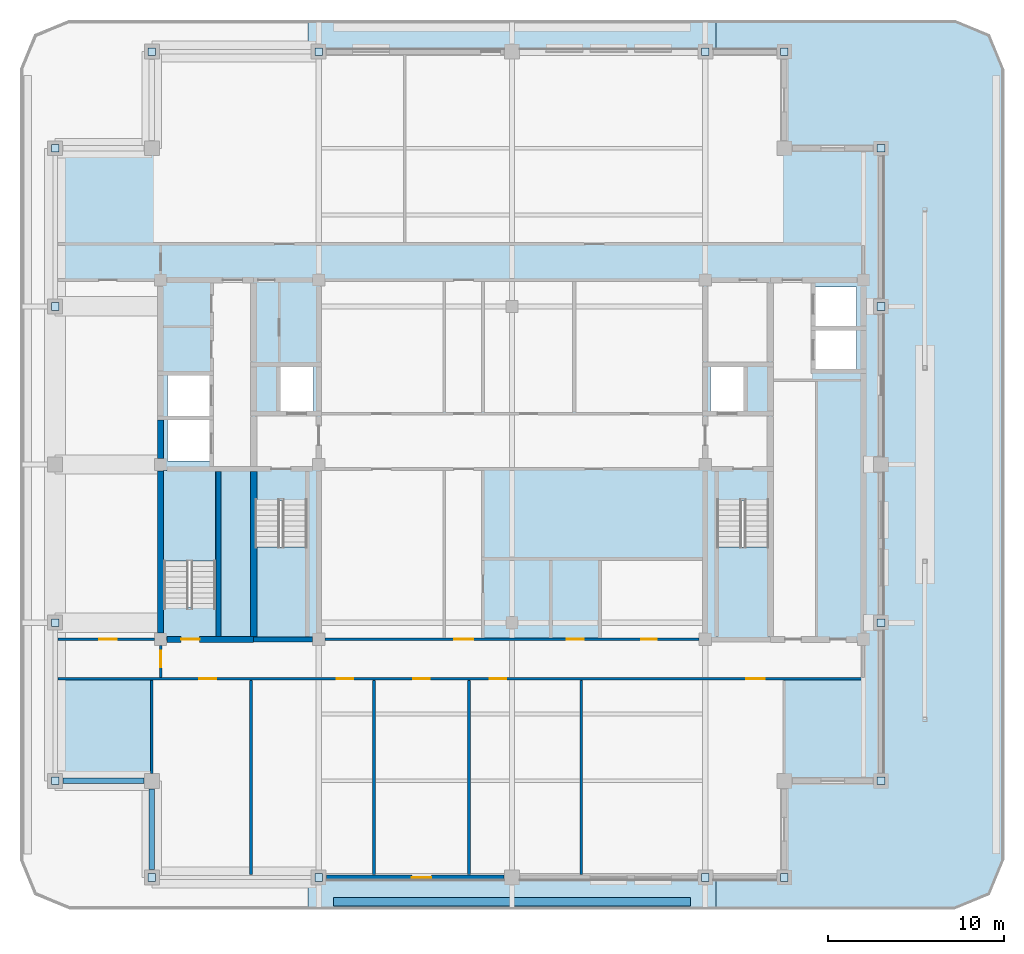
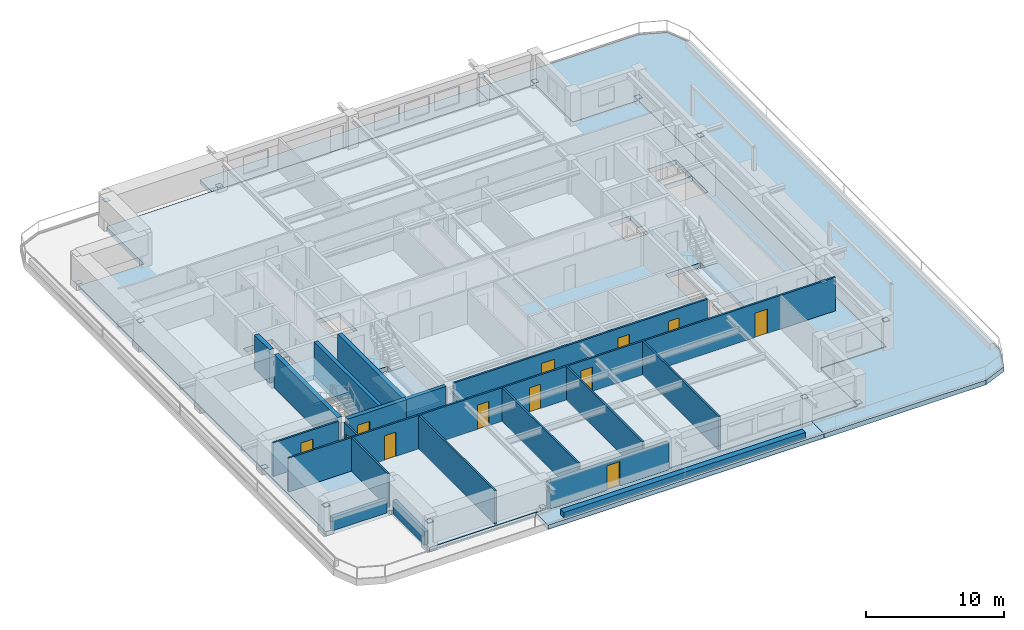
# One storey, part 5 of 14: 19 walls, 16 plates, 12 doors, 7 slabs, 12 openings, 3 elements without a shape of their own.
"""IFC4 building model written with IfcOpenShell, lengths in metres."""

from ifc_helpers import new_model, si_unit, direction, frame, frame_2d, origin, origin_2d, place, context, subcontext, project, spatial, polyline, rectangle, outline, extrude, material, layer, layer_set, type_object, element, fill, aggregate, save


model = new_model("IFC4")

# Units and contexts
model_context = context("Model", 3, precision=1e-05, world=origin(), true_north=direction((0.0, 1.0)))
body_context = subcontext(model_context, "Body", "Model", "MODEL_VIEW")
ifc_project = project(units=[si_unit("LENGTHUNIT", "METRE"), si_unit("AREAUNIT", "SQUARE_METRE"), si_unit("VOLUMEUNIT", "CUBIC_METRE"), si_unit("PLANEANGLEUNIT", "RADIAN"), si_unit("MASSUNIT", "GRAM", prefix="KILO")], contexts=[model_context])

# Site, building, storey
site_placement = place(None, origin())
site = spatial("IfcSite", under=ifc_project, at=site_placement, CompositionType="ELEMENT")
building_placement = place(site_placement, origin())
building = spatial("IfcBuilding", under=site, at=building_placement, Name="Zulmaris Gate Convention Tower", CompositionType="ELEMENT")
storey_placement = place(building_placement, frame((0.0, 0.0, 254.429931640625)))
storey = spatial("IfcBuildingStorey", under=building, at=storey_placement, Name="L67", CompositionType="ELEMENT", Elevation=254.429931640625)

# Plates
ifc_material_1 = material(Name="Steel S460", Category="steel")
ifc_layer_1 = layer(ifc_material_1, 0.02490234375, Name="Steel S460")
ifc_layer_set_1 = layer_set([ifc_layer_1], Name="Steel S460")
plate_type = type_object("IfcPlateType", Name="NP-CAP-440", PredefinedType="USERDEFINED", material=ifc_layer_set_1)
for number, where, z_axis, x_axis, name in (
    (1, (-26.0, -9.0, 0.28759765625), (0.0, 0.0, 1.0), (1.0, 0.0, 0.0), "L67 Steel Node Plate PBR-L67-SW-W-CAP"),
    (2, (-26.0, -18.0, 2.347412109375), (0.0, 0.0, 1.0), (1.0, 0.0, 0.0), "L67 Steel Node Plate PBR-L67-SW-W-CAPB"),
    (3, (-26.0, 18.0, 0.28759765625), (0.0, 0.0, 1.0), (1.0, 0.0, 0.0), "L67 Steel Node Plate PBR-L67-NW-W-CAP"),
    (4, (-26.0, 9.0, 2.347412109375), (0.0, 0.0, 1.0), (1.0, 0.0, 0.0), "L67 Steel Node Plate PBR-L67-NW-W-CAPB"),
    (5, (21.0, -9.0, 0.28759765625), (0.0, 0.0, 1.0), (1.0, 0.0, 0.0), "L67 Steel Node Plate PBR-L67-SE-E-CAP"),
    (6, (21.0, -18.0, 2.347412109375), (0.0, 0.0, 1.0), (1.0, 0.0, 0.0), "L67 Steel Node Plate PBR-L67-SE-E-CAPB"),
    (7, (21.0, 18.0, 0.28759765625), (0.0, 0.0, 1.0), (1.0, 0.0, 0.0), "L67 Steel Node Plate PBR-L67-NE-E-CAP"),
    (8, (21.0, 9.0, 2.347412109375), (0.0, 0.0, 1.0), (1.0, 0.0, 0.0), "L67 Steel Node Plate PBR-L67-NE-E-CAPB"),
    (9, (-11.0, -23.5, 0.28759765625), (0.0, 0.0, 1.0), (1.0, 0.0, 0.0), "L67 Steel Node Plate PBR-L67-SW-S-CAP"),
    (10, (-20.5, -23.5, 2.347412109375), (0.0, 0.0, 1.0), (1.0, 0.0, 0.0), "L67 Steel Node Plate PBR-L67-SW-S-CAPB"),
    (11, (15.5, -23.5, 0.28759765625), (0.0, 0.0, 1.0), (1.0, 0.0, 0.0), "L67 Steel Node Plate PBR-L67-SE-S-CAP"),
    (12, (11.0, -23.5, 2.347412109375), (0.0, 0.0, 1.0), (1.0, 0.0, 0.0), "L67 Steel Node Plate PBR-L67-SE-S-CAPB"),
    (13, (-11.0, 23.5, 0.28759765625), (0.0, 0.0, 1.0), (1.0, 0.0, 0.0), "L67 Steel Node Plate PBR-L67-NW-N-CAP"),
    (14, (-20.5, 23.5, 2.347412109375), (0.0, 0.0, 1.0), (1.0, 0.0, 0.0), "L67 Steel Node Plate PBR-L67-NW-N-CAPB"),
    (15, (15.5, 23.5, 0.28759765625), (0.0, 0.0, 1.0), (1.0, 0.0, 0.0), "L67 Steel Node Plate PBR-L67-NE-N-CAP"),
    (16, (11.0, 23.5, 2.347412109375), (0.0, 0.0, 1.0), (1.0, 0.0, 0.0), "L67 Steel Node Plate PBR-L67-NE-N-CAPB"),
):
    element("IfcPlate", number, at=place(storey_placement, frame(where, z_axis=z_axis, x_axis=x_axis)), inside=storey, type_object=plate_type, Name=name, ObjectType="FLANGE PLATE", PredefinedType="USERDEFINED", context=body_context, shape_type="SweptSolid", body=[
        extrude(rectangle(XDim=0.43994140625, YDim=0.43994140625, at=origin_2d()), origin(), (0.0, 0.0, 1.0), 0.02490234375),
    ])

# Slab
ifc_material_2 = material(Name="Concrete C60/75", Category="concrete")
ifc_layer_2 = layer(ifc_material_2, 0.425048828125, Name="Concrete C60/75")
ifc_layer_set_2 = layer_set([ifc_layer_2], Name="Concrete C60/75")
slab_type_1 = type_object("IfcSlabType", Name="SL-FLR-425", PredefinedType="FLOOR", material=ifc_layer_set_2)
slab_1_placement = place(storey_placement, frame((0.0, 0.0, -0.425048828125)))
element("IfcSlab", 17, at=slab_1_placement, inside=storey, type_object=slab_type_1, Name="L67 Shifted Notched-Square Structural Floor Slab", PredefinedType="FLOOR", context=body_context, shape_type="SweptSolid", body=[
    extrude(outline(polyline([(-20.5, -23.5), (15.5, -23.5), (15.5, -18.0), (21.0, -18.0), (21.0, 18.0), (15.5, 18.0), (15.5, 23.5), (-20.5, 23.5), (-20.5, 18.0), (-26.0, 18.0), (-26.0, -18.0), (-20.5, -18.0), (-20.5, -23.5)]), holes=[polyline([(-14.6201171875, -2.080078125), (-14.6201171875, -9.85009765625), (-11.659912109375, -9.85009765625), (-11.659912109375, -2.080078125), (-14.6201171875, -2.080078125)]), polyline([(11.659912109375, -2.080078125), (11.659912109375, -9.85009765625), (14.6201171875, -9.85009765625), (14.6201171875, -2.080078125), (11.659912109375, -2.080078125)]), polyline([(-16.860107421875, -8.1201171875), (-16.860107421875, -0.35009765625), (-19.820068359375, -0.35009765625), (-19.820068359375, -8.1201171875), (-16.860107421875, -8.1201171875)]), polyline([(-13.199951171875, 3.0), (-11.300048828125, 3.0), (-11.300048828125, 5.60009765625), (-13.199951171875, 5.60009765625), (-13.199951171875, 3.0)]), polyline([(11.300048828125, 3.0), (13.199951171875, 3.0), (13.199951171875, 5.60009765625), (11.300048828125, 5.60009765625), (11.300048828125, 3.0)]), polyline([(17.199951171875, 5.39990234375), (19.60009765625, 5.39990234375), (19.60009765625, 7.699951171875), (17.199951171875, 7.699951171875), (17.199951171875, 5.39990234375)]), polyline([(17.199951171875, 7.800048828125), (19.60009765625, 7.800048828125), (19.60009765625, 10.10009765625), (17.199951171875, 10.10009765625), (17.199951171875, 7.800048828125)]), polyline([(-19.60009765625, 0.199951171875), (-17.199951171875, 0.199951171875), (-17.199951171875, 2.60009765625), (-19.60009765625, 2.60009765625), (-19.60009765625, 0.199951171875)]), polyline([(-19.60009765625, 2.699951171875), (-17.199951171875, 2.699951171875), (-17.199951171875, 5.10009765625), (-19.60009765625, 5.10009765625), (-19.60009765625, 2.699951171875)])]), origin(), (0.0, 0.0, 1.0), 0.425048828125),
])

# Stair, slab
ifc_material_3 = material(Name="Concrete C45/55", Category="concrete")
stair_type = type_object("IfcStairType", Name="ST-CORE-DOGLEG", PredefinedType="HALF_TURN_STAIR", material=ifc_material_3)
stair_1_placement = place(storey_placement, origin())
stair_1 = element("IfcStair", 18, at=stair_1_placement, inside=storey, type_object=stair_type, Name="L67 Core Exit Stair ST-1", PredefinedType="HALF_TURN_STAIR")
ifc_layer_3 = layer(ifc_material_3, 0.199951171875, Name="Concrete C45/55")
ifc_layer_set_3 = layer_set([ifc_layer_3], Name="Concrete C45/55")
slab_type_2 = type_object("IfcSlabType", Name="SL-LND-200", PredefinedType="LANDING", material=ifc_layer_set_3)
slab_2_placement = place(storey_placement, frame((0.0, 0.0, 1.4150390625)))
slab_2 = element("IfcSlab", 19, at=slab_2_placement, type_object=slab_type_2, Name="ST-1 landing 1", PredefinedType="LANDING", context=body_context, shape_type="SweptSolid", body=[
    extrude(outline(polyline([(-14.6201171875, -4.699951171875), (-14.6201171875, -9.85009765625), (-11.659912109375, -9.85009765625), (-11.659912109375, -4.699951171875), (-14.6201171875, -4.699951171875)])), origin(), (0.0, 0.0, 1.0), 0.199951171875),
])
aggregate(stair_1, [slab_2])

stair_2_placement = place(storey_placement, origin())
stair_2 = element("IfcStair", 20, at=stair_2_placement, inside=storey, type_object=stair_type, Name="L67 Core Exit Stair ST-2", PredefinedType="HALF_TURN_STAIR")
slab_3_placement = place(storey_placement, frame((0.0, 0.0, 1.4150390625)))
slab_3 = element("IfcSlab", 21, at=slab_3_placement, type_object=slab_type_2, Name="ST-2 landing 1", PredefinedType="LANDING", context=body_context, shape_type="SweptSolid", body=[
    extrude(outline(polyline([(11.659912109375, -4.699951171875), (11.659912109375, -9.85009765625), (14.6201171875, -9.85009765625), (14.6201171875, -4.699951171875), (11.659912109375, -4.699951171875)])), origin(), (0.0, 0.0, 1.0), 0.199951171875),
])
aggregate(stair_2, [slab_3])

stair_3_placement = place(storey_placement, origin())
stair_3 = element("IfcStair", 22, at=stair_3_placement, inside=storey, type_object=stair_type, Name="L67 Core Exit Stair ST-3", PredefinedType="HALF_TURN_STAIR")
slab_4_placement = place(storey_placement, frame((0.0, 0.0, 1.4150390625)))
slab_4 = element("IfcSlab", 23, at=slab_4_placement, type_object=slab_type_2, Name="ST-3 landing 1", PredefinedType="LANDING", context=body_context, shape_type="SweptSolid", body=[
    extrude(outline(polyline([(-16.860107421875, -5.5), (-16.860107421875, -0.35009765625), (-19.820068359375, -0.35009765625), (-19.820068359375, -5.5), (-16.860107421875, -5.5)])), origin(), (0.0, 0.0, 1.0), 0.199951171875),
])
aggregate(stair_3, [slab_4])

# Slabs
ifc_material_4 = material(Name="Concrete C50/60", Category="concrete")
ifc_layer_4 = layer(ifc_material_4, 0.300048828125, Name="Concrete C50/60")
ifc_layer_set_4 = layer_set([ifc_layer_4], Name="Concrete C50/60")
slab_type_3 = type_object("IfcSlabType", Name="SL-SG-300", PredefinedType="FLOOR", material=ifc_layer_set_4)
slab_5_placement = place(storey_placement, frame((0.0, 0.0, -0.425048828125)))
element("IfcSlab", 24, at=slab_5_placement, inside=storey, type_object=slab_type_3, Name="L67 South Tree-Balcony Planter Slab", PredefinedType="FLOOR", context=body_context, shape_type="SweptSolid", body=[
    extrude(outline(polyline([(-11.597900390625, -25.300048828125), (-11.597900390625, -23.5), (11.597900390625, -23.5), (11.597900390625, -25.300048828125), (-11.597900390625, -25.300048828125)])), origin(), (0.0, 0.0, 1.0), 0.385009765625),
])
slab_6_placement = place(storey_placement, frame((0.0, 0.0, -0.425048828125)))
element("IfcSlab", 25, at=slab_6_placement, inside=storey, type_object=slab_type_3, Name="L67 North Tree-Balcony Planter Slab", PredefinedType="FLOOR", context=body_context, shape_type="SweptSolid", body=[
    extrude(outline(polyline([(11.597900390625, 25.300048828125), (11.597900390625, 23.5), (-11.597900390625, 23.5), (-11.597900390625, 25.300048828125), (11.597900390625, 25.300048828125)])), origin(), (0.0, 0.0, 1.0), 0.385009765625),
])
ifc_layer_5 = layer(ifc_material_4, 0.419921875, Name="Concrete C50/60")
ifc_layer_set_5 = layer_set([ifc_layer_5], Name="Concrete C50/60")
slab_type_4 = type_object("IfcSlabType", Name="SL-SG-420", PredefinedType="FLOOR", material=ifc_layer_set_5)
slab_7_placement = place(storey_placement, frame((0.0, 0.0, -0.4599609375)))
element("IfcSlab", 26, at=slab_7_placement, inside=storey, type_object=slab_type_4, Name="L67 East Block-End Planted Roof Terrace Slab", PredefinedType="FLOOR", context=body_context, shape_type="SweptSolid", body=[
    extrude(outline(polyline([(25.199951171875, 25.300048828125), (27.179931640625, 24.47998046875), (28.0, 22.5), (28.0, -22.5), (27.179931640625, -24.47998046875), (25.199951171875, -25.300048828125), (11.60205078125, -25.300048828125), (11.60205078125, -23.5), (15.5, -23.5), (15.5, -18.0), (21.0, -18.0), (21.0, 18.0), (15.5, 18.0), (15.5, 23.5), (11.60205078125, 23.5), (11.60205078125, 25.300048828125), (25.199951171875, 25.300048828125)])), origin(), (0.0, 0.0, 1.0), 0.419921875),
])

# Walls
ifc_layer_6 = layer(ifc_material_4, 0.300048828125, Name="Concrete C50/60")
ifc_layer_set_6 = layer_set([ifc_layer_6], Name="Concrete C50/60")
wall_type_1 = type_object("IfcWallType", Name="CORE-300", PredefinedType="SHEAR", material=ifc_layer_set_6)
wall_1_placement = place(storey_placement, frame((-14.699951171875, -9.949951171875, 0.0), z_axis=(0.0, 0.0, 1.0), x_axis=(1.0, 0.0, 0.0)))
element("IfcWall", 27, at=wall_1_placement, inside=storey, type_object=wall_type_1, Name="WL-L67-002", PredefinedType="SHEAR", context=body_context, shape_type="SweptSolid", body=[
    extrude(rectangle(XDim=3.345947265625, YDim=0.300048828125, at=frame_2d((1.6728515625, 0.0))), origin(), (0.0, 0.0, 1.0), 2.97998046875),
])
wall_2_placement = place(storey_placement, frame((-16.699951171875, -9.77294921875, 0.0), z_axis=(0.0, 0.0, 1.0), x_axis=(0.0, 1.0, 0.0)))
element("IfcWall", 28, at=wall_2_placement, inside=storey, type_object=wall_type_1, Name="WL-L67-036", PredefinedType="SHEAR", context=body_context, shape_type="SweptSolid", body=[
    extrude(rectangle(XDim=9.370849609375, YDim=0.300048828125, at=frame_2d((4.685546875, 0.0))), origin(), (0.0, 0.0, 1.0), 2.97998046875),
])

# Wall, opening, door
ifc_material_5 = material(Name="Concrete C55/67", Category="concrete")
ifc_layer_7 = layer(ifc_material_5, 0.35009765625, Name="Concrete C55/67")
ifc_layer_set_7 = layer_set([ifc_layer_7], Name="Concrete C55/67")
wall_type_2 = type_object("IfcWallType", Name="CORE-350", PredefinedType="SHEAR", material=ifc_layer_set_7)
wall_3_placement = place(storey_placement, frame((-19.64599609375, -9.949951171875, 0.0), z_axis=(0.0, 0.0, 1.0), x_axis=(1.0, 0.0, 0.0)))
wall_3 = element("IfcWall", 29, at=wall_3_placement, inside=storey, type_object=wall_type_2, Name="WL-L67-001", PredefinedType="SHEAR", context=body_context, shape_type="SweptSolid", body=[
    extrude(rectangle(XDim=4.946044921875, YDim=0.35009765625, at=frame_2d((2.47314453125, 0.0))), origin(), (0.0, 0.0, 1.0), 2.97998046875),
])
opening_1_placement = place(wall_3_placement, frame((0.821044921875, 0.0, 0.0)))
opening_1 = element("IfcOpeningElement", 30, at=opening_1_placement, cuts=wall_3, Name="Opening D-09", PredefinedType="OPENING", context=body_context, shape_type="SweptSolid", body=[
    extrude(rectangle(XDim=1.050048828125, YDim=2.14990234375, at=frame_2d((0.52490234375, 1.074951171875))), frame((0.0, 0.18505859375, 0.0), z_axis=(0.0, -1.0, 0.0), x_axis=(1.0, 0.0, 0.0)), (0.0, 0.0, 1.0), 0.3701171875),
])
ifc_material_6 = material(Name="Fire-Rated Steel", Category="steel")
door_type_1 = type_object("IfcDoorType", Name="DR-1050-FD", OperationType="NOTDEFINED", PredefinedType="DOOR", material=ifc_material_6)
door_1_placement = place(opening_1_placement, origin())
door_1 = element("IfcDoor", 31, at=door_1_placement, inside=storey, type_object=door_type_1, Name="L67 Exit Stair ST-3 Door 10", OperationType="SINGLE_SWING_LEFT", OverallHeight=2.14990234375, OverallWidth=1.050048828125, PredefinedType="DOOR", context=body_context, shape_type="SweptSolid", body=[
    extrude(rectangle(XDim=1.050048828125, YDim=2.14990234375, at=frame_2d((0.52490234375, 1.074951171875))), frame((0.0, 0.02490234375, 0.0), z_axis=(0.0, -1.0, 0.0), x_axis=(1.0, 0.0, 0.0)), (0.0, 0.0, 1.0), 0.050048828125),
])
fill(opening_1, door_1)

# Walls
wall_4_placement = place(storey_placement, frame((-20.0, -9.595947265625, 0.0), z_axis=(0.0, 0.0, 1.0), x_axis=(0.0, 1.0, 0.0)))
element("IfcWall", 32, at=wall_4_placement, inside=storey, type_object=wall_type_2, Name="WL-L67-030", PredefinedType="SHEAR", context=body_context, shape_type="SweptSolid", body=[
    extrude(rectangle(XDim=9.241943359375, YDim=0.35009765625, at=frame_2d((4.62109375, 0.0))), origin(), (0.0, 0.0, 1.0), 2.97998046875),
])
wall_5_placement = place(storey_placement, frame((-20.0, 0.35400390625, 0.0), z_axis=(0.0, 0.0, 1.0), x_axis=(0.0, 1.0, 0.0)))
element("IfcWall", 33, at=wall_5_placement, inside=storey, type_object=wall_type_2, Name="WL-L67-031", PredefinedType="SHEAR", context=body_context, shape_type="SweptSolid", body=[
    extrude(rectangle(XDim=2.1689453125, YDim=0.35009765625, at=frame_2d((1.08447265625, 0.0))), origin(), (0.0, 0.0, 1.0), 2.97998046875),
])
wall_6_placement = place(storey_placement, frame((-14.699951171875, -9.77294921875, 0.0), z_axis=(0.0, 0.0, 1.0), x_axis=(0.0, 1.0, 0.0)))
element("IfcWall", 34, at=wall_6_placement, inside=storey, type_object=wall_type_2, Name="WL-L67-037", PredefinedType="SHEAR", context=body_context, shape_type="SweptSolid", body=[
    extrude(rectangle(XDim=9.370849609375, YDim=0.35009765625, at=frame_2d((4.685546875, 0.0))), origin(), (0.0, 0.0, 1.0), 2.97998046875),
])

# Wall, openings, doors
ifc_material_7 = material(Name="Gypsum Metal Stud Partition")
ifc_layer_8 = layer(ifc_material_7, 0.14990234375, Name="Gypsum Metal Stud Partition")
ifc_layer_set_8 = layer_set([ifc_layer_8], Name="Gypsum Metal Stud Partition")
wall_type_3 = type_object("IfcWallType", Name="PART-150", PredefinedType="PARTITIONING", material=ifc_layer_set_8)
wall_7_placement = place(storey_placement, frame((-25.8349609375, -12.199951171875, 0.0), z_axis=(0.0, 0.0, 1.0), x_axis=(1.0, 0.0, 0.0)))
wall_7 = element("IfcWall", 35, at=wall_7_placement, inside=storey, type_object=wall_type_3, Name="WL-L67-019", PredefinedType="PARTITIONING", context=body_context, shape_type="SweptSolid", body=[
    extrude(rectangle(XDim=45.909912109375, YDim=0.14990234375, at=frame_2d((22.955078125, 0.0))), origin(), (0.0, 0.0, 1.0), 2.97998046875),
])
opening_2_placement = place(wall_7_placement, frame((8.0400390625, 0.0, 0.0)))
opening_2 = element("IfcOpeningElement", 36, at=opening_2_placement, cuts=wall_7, Name="Opening D-11", PredefinedType="OPENING", context=body_context, shape_type="SweptSolid", body=[
    extrude(rectangle(XDim=0.949951171875, YDim=2.14990234375, at=frame_2d((0.47509765625, 1.074951171875))), frame((0.0, 0.0849609375, 0.0), z_axis=(0.0, -1.0, 0.0), x_axis=(1.0, 0.0, 0.0)), (0.0, 0.0, 1.0), 0.169921875),
])
opening_3_placement = place(wall_7_placement, frame((15.860107421875, 0.0, 0.0)))
opening_3 = element("IfcOpeningElement", 37, at=opening_3_placement, cuts=wall_7, Name="Opening D-11", PredefinedType="OPENING", context=body_context, shape_type="SweptSolid", body=[
    extrude(rectangle(XDim=0.949951171875, YDim=2.14990234375, at=frame_2d((0.47509765625, 1.074951171875))), frame((0.0, 0.0849609375, 0.0), z_axis=(0.0, -1.0, 0.0), x_axis=(1.0, 0.0, 0.0)), (0.0, 0.0, 1.0), 0.169921875),
])
opening_4_placement = place(wall_7_placement, frame((20.2099609375, 0.0, 0.0)))
opening_4 = element("IfcOpeningElement", 38, at=opening_4_placement, cuts=wall_7, Name="Opening D-11", PredefinedType="OPENING", context=body_context, shape_type="SweptSolid", body=[
    extrude(rectangle(XDim=0.949951171875, YDim=2.14990234375, at=frame_2d((0.47509765625, 1.074951171875))), frame((0.0, 0.0849609375, 0.0), z_axis=(0.0, -1.0, 0.0), x_axis=(1.0, 0.0, 0.0)), (0.0, 0.0, 1.0), 0.169921875),
])
opening_5_placement = place(wall_7_placement, frame((24.56005859375, 0.0, 0.0)))
opening_5 = element("IfcOpeningElement", 39, at=opening_5_placement, cuts=wall_7, Name="Opening D-11", PredefinedType="OPENING", context=body_context, shape_type="SweptSolid", body=[
    extrude(rectangle(XDim=0.949951171875, YDim=2.14990234375, at=frame_2d((0.47509765625, 1.074951171875))), frame((0.0, 0.0849609375, 0.0), z_axis=(0.0, -1.0, 0.0), x_axis=(1.0, 0.0, 0.0)), (0.0, 0.0, 1.0), 0.169921875),
])
opening_6_placement = place(wall_7_placement, frame((39.159912109375, 0.0, 0.0)))
opening_6 = element("IfcOpeningElement", 40, at=opening_6_placement, cuts=wall_7, Name="Opening D-09", PredefinedType="OPENING", context=body_context, shape_type="SweptSolid", body=[
    extrude(rectangle(XDim=1.050048828125, YDim=2.14990234375, at=frame_2d((0.52490234375, 1.074951171875))), frame((0.0, 0.0849609375, 0.0), z_axis=(0.0, -1.0, 0.0), x_axis=(1.0, 0.0, 0.0)), (0.0, 0.0, 1.0), 0.169921875),
])
door_2_placement = place(opening_6_placement, origin())
door_2 = element("IfcDoor", 41, at=door_2_placement, inside=storey, type_object=door_type_1, Name="L67 Research Reading Room Door 31", OperationType="SINGLE_SWING_RIGHT", OverallHeight=2.14990234375, OverallWidth=1.050048828125, PredefinedType="DOOR", context=body_context, shape_type="SweptSolid", body=[
    extrude(rectangle(XDim=1.050048828125, YDim=2.14990234375, at=frame_2d((0.52490234375, 1.074951171875))), frame((0.0, 0.02490234375, 0.0), z_axis=(0.0, -1.0, 0.0), x_axis=(1.0, 0.0, 0.0)), (0.0, 0.0, 1.0), 0.050048828125),
])
fill(opening_6, door_2)
ifc_material_8 = material(Name="Fire-Rated Timber", Category="wood")
door_type_2 = type_object("IfcDoorType", Name="DR-950-FD", OperationType="NOTDEFINED", PredefinedType="DOOR", material=ifc_material_8)
door_3_placement = place(opening_2_placement, origin())
door_3 = element("IfcDoor", 42, at=door_3_placement, inside=storey, type_object=door_type_2, Name="L67 Research Reading Room Door 27", OperationType="SINGLE_SWING_RIGHT", OverallHeight=2.14990234375, OverallWidth=0.949951171875, PredefinedType="DOOR", context=body_context, shape_type="SweptSolid", body=[
    extrude(rectangle(XDim=0.949951171875, YDim=2.14990234375, at=frame_2d((0.47509765625, 1.074951171875))), frame((0.0, 0.02490234375, 0.0), z_axis=(0.0, -1.0, 0.0), x_axis=(1.0, 0.0, 0.0)), (0.0, 0.0, 1.0), 0.050048828125),
])
fill(opening_2, door_3)
door_4_placement = place(opening_3_placement, origin())
door_4 = element("IfcDoor", 43, at=door_4_placement, inside=storey, type_object=door_type_2, Name="L67 Quiet Focus Study Door 28", OperationType="SINGLE_SWING_LEFT", OverallHeight=2.14990234375, OverallWidth=0.949951171875, PredefinedType="DOOR", context=body_context, shape_type="SweptSolid", body=[
    extrude(rectangle(XDim=0.949951171875, YDim=2.14990234375, at=frame_2d((0.47509765625, 1.074951171875))), frame((0.0, 0.02490234375, 0.0), z_axis=(0.0, -1.0, 0.0), x_axis=(1.0, 0.0, 0.0)), (0.0, 0.0, 1.0), 0.050048828125),
])
fill(opening_3, door_4)
door_5_placement = place(opening_4_placement, origin())
door_5 = element("IfcDoor", 44, at=door_5_placement, inside=storey, type_object=door_type_2, Name="L67 Legal Library Room Door 29", OperationType="SINGLE_SWING_RIGHT", OverallHeight=2.14990234375, OverallWidth=0.949951171875, PredefinedType="DOOR", context=body_context, shape_type="SweptSolid", body=[
    extrude(rectangle(XDim=0.949951171875, YDim=2.14990234375, at=frame_2d((0.47509765625, 1.074951171875))), frame((0.0, 0.02490234375, 0.0), z_axis=(0.0, -1.0, 0.0), x_axis=(1.0, 0.0, 0.0)), (0.0, 0.0, 1.0), 0.050048828125),
])
fill(opening_4, door_5)
door_6_placement = place(opening_5_placement, origin())
door_6 = element("IfcDoor", 45, at=door_6_placement, inside=storey, type_object=door_type_2, Name="L67 Editorial Focus Suite Door 30", OperationType="SINGLE_SWING_LEFT", OverallHeight=2.14990234375, OverallWidth=0.949951171875, PredefinedType="DOOR", context=body_context, shape_type="SweptSolid", body=[
    extrude(rectangle(XDim=0.949951171875, YDim=2.14990234375, at=frame_2d((0.47509765625, 1.074951171875))), frame((0.0, 0.02490234375, 0.0), z_axis=(0.0, -1.0, 0.0), x_axis=(1.0, 0.0, 0.0)), (0.0, 0.0, 1.0), 0.050048828125),
])
fill(opening_5, door_6)

# Wall, opening, door
wall_8_placement = place(storey_placement, frame((-25.8349609375, -9.949951171875, 0.0), z_axis=(0.0, 0.0, 1.0), x_axis=(1.0, 0.0, 0.0)))
wall_8 = element("IfcWall", 46, at=wall_8_placement, inside=storey, type_object=wall_type_3, Name="WL-L67-020", PredefinedType="PARTITIONING", context=body_context, shape_type="SweptSolid", body=[
    extrude(rectangle(XDim=5.47900390625, YDim=0.14990234375, at=frame_2d((2.739501953125, 0.0))), origin(), (0.0, 0.0, 1.0), 2.97998046875),
])
opening_7_placement = place(wall_8_placement, frame((2.3349609375, 0.0, 0.0)))
opening_7 = element("IfcOpeningElement", 47, at=opening_7_placement, cuts=wall_8, Name="Opening D-10", PredefinedType="OPENING", context=body_context, shape_type="SweptSolid", body=[
    extrude(rectangle(XDim=1.0, YDim=2.14990234375, at=frame_2d((0.5, 1.074951171875))), frame((0.0, 0.0849609375, 0.0), z_axis=(0.0, -1.0, 0.0), x_axis=(1.0, 0.0, 0.0)), (0.0, 0.0, 1.0), 0.169921875),
])
door_type_3 = type_object("IfcDoorType", Name="DR-1000-FD", OperationType="NOTDEFINED", PredefinedType="DOOR", material=ifc_material_8)
door_7_placement = place(opening_7_placement, origin())
door_7 = element("IfcDoor", 48, at=door_7_placement, inside=storey, type_object=door_type_3, Name="L67 West Workplace South Door 43", OperationType="SINGLE_SWING_RIGHT", OverallHeight=2.14990234375, OverallWidth=1.0, PredefinedType="DOOR", context=body_context, shape_type="SweptSolid", body=[
    extrude(rectangle(XDim=1.0, YDim=2.14990234375, at=frame_2d((0.5, 1.074951171875))), frame((0.0, 0.02490234375, 0.0), z_axis=(0.0, -1.0, 0.0), x_axis=(1.0, 0.0, 0.0)), (0.0, 0.0, 1.0), 0.050048828125),
])
fill(opening_7, door_7)

# Wall, openings, doors
wall_9_placement = place(storey_placement, frame((-10.64404296875, -9.949951171875, 0.0), z_axis=(0.0, 0.0, 1.0), x_axis=(1.0, 0.0, 0.0)))
wall_9 = element("IfcWall", 49, at=wall_9_placement, inside=storey, type_object=wall_type_3, Name="WL-L67-021", PredefinedType="PARTITIONING", context=body_context, shape_type="SweptSolid", body=[
    extrude(rectangle(XDim=21.2880859375, YDim=0.14990234375, at=frame_2d((10.64404296875, 0.0))), origin(), (0.0, 0.0, 1.0), 2.97998046875),
])
opening_8_placement = place(wall_9_placement, frame((7.343994140625, 0.0, 0.0)))
opening_8 = element("IfcOpeningElement", 50, at=opening_8_placement, cuts=wall_9, Name="Opening D-08", PredefinedType="OPENING", context=body_context, shape_type="SweptSolid", body=[
    extrude(rectangle(XDim=1.10009765625, YDim=2.14990234375, at=frame_2d((0.550048828125, 1.074951171875))), frame((0.0, 0.0849609375, 0.0), z_axis=(0.0, -1.0, 0.0), x_axis=(1.0, 0.0, 0.0)), (0.0, 0.0, 1.0), 0.169921875),
])
opening_9_placement = place(wall_9_placement, frame((13.76904296875, 0.0, 0.0)))
opening_9 = element("IfcOpeningElement", 51, at=opening_9_placement, cuts=wall_9, Name="Opening D-11", PredefinedType="OPENING", context=body_context, shape_type="SweptSolid", body=[
    extrude(rectangle(XDim=0.949951171875, YDim=2.14990234375, at=frame_2d((0.47509765625, 1.074951171875))), frame((0.0, 0.0849609375, 0.0), z_axis=(0.0, -1.0, 0.0), x_axis=(1.0, 0.0, 0.0)), (0.0, 0.0, 1.0), 0.169921875),
])
opening_10_placement = place(wall_9_placement, frame((17.993896484375, 0.0, 0.0)))
opening_10 = element("IfcOpeningElement", 52, at=opening_10_placement, cuts=wall_9, Name="Opening D-12", PredefinedType="OPENING", context=body_context, shape_type="SweptSolid", body=[
    extrude(rectangle(XDim=0.89990234375, YDim=2.14990234375, at=frame_2d((0.449951171875, 1.074951171875))), frame((0.0, 0.0849609375, 0.0), z_axis=(0.0, -1.0, 0.0), x_axis=(1.0, 0.0, 0.0)), (0.0, 0.0, 1.0), 0.169921875),
])
door_type_4 = type_object("IfcDoorType", Name="DR-1100-FD", OperationType="NOTDEFINED", PredefinedType="DOOR", material=ifc_material_6)
door_8_placement = place(opening_8_placement, origin())
door_8 = element("IfcDoor", 53, at=door_8_placement, inside=storey, type_object=door_type_4, Name="L67 Exec South Link Door 22", OperationType="SINGLE_SWING_LEFT", OverallHeight=2.14990234375, OverallWidth=1.10009765625, PredefinedType="DOOR", context=body_context, shape_type="SweptSolid", body=[
    extrude(rectangle(XDim=1.10009765625, YDim=2.14990234375, at=frame_2d((0.550048828125, 1.074951171875))), frame((0.0, 0.02490234375, 0.0), z_axis=(0.0, -1.0, 0.0), x_axis=(1.0, 0.0, 0.0)), (0.0, 0.0, 1.0), 0.050048828125),
])
fill(opening_8, door_8)
door_type_5 = type_object("IfcDoorType", Name="DR-900-FD", OperationType="NOTDEFINED", PredefinedType="DOOR", material=ifc_material_8)
door_9_placement = place(opening_10_placement, origin())
door_9 = element("IfcDoor", 54, at=door_9_placement, inside=storey, type_object=door_type_5, Name="L67 Reprographics Office Door 39", OperationType="SINGLE_SWING_RIGHT", OverallHeight=2.14990234375, OverallWidth=0.89990234375, PredefinedType="DOOR", context=body_context, shape_type="SweptSolid", body=[
    extrude(rectangle(XDim=0.89990234375, YDim=2.14990234375, at=frame_2d((0.449951171875, 1.074951171875))), frame((0.0, 0.02490234375, 0.0), z_axis=(0.0, -1.0, 0.0), x_axis=(1.0, 0.0, 0.0)), (0.0, 0.0, 1.0), 0.050048828125),
])
fill(opening_10, door_9)
door_10_placement = place(opening_9_placement, origin())
door_10 = element("IfcDoor", 55, at=door_10_placement, inside=storey, type_object=door_type_2, Name="L67 Accessible WC Door 38", OperationType="SINGLE_SWING_LEFT", OverallHeight=2.14990234375, OverallWidth=0.949951171875, PredefinedType="DOOR", context=body_context, shape_type="SweptSolid", body=[
    extrude(rectangle(XDim=0.949951171875, YDim=2.14990234375, at=frame_2d((0.47509765625, 1.074951171875))), frame((0.0, 0.02490234375, 0.0), z_axis=(0.0, -1.0, 0.0), x_axis=(1.0, 0.0, 0.0)), (0.0, 0.0, 1.0), 0.050048828125),
])
fill(opening_9, door_10)

# Wall
wall_10_placement = place(storey_placement, frame((-20.5, -17.569091796875, 0.0), z_axis=(0.0, 0.0, 1.0), x_axis=(0.0, 1.0, 0.0)))
element("IfcWall", 56, at=wall_10_placement, inside=storey, type_object=wall_type_3, Name="WL-L67-062", PredefinedType="PARTITIONING", context=body_context, shape_type="SweptSolid", body=[
    extrude(rectangle(XDim=5.291015625, YDim=0.14990234375, at=frame_2d((2.6455078125, 0.0))), origin(), (0.0, 0.0, 1.0), 2.97998046875),
])

# Wall, opening, door
wall_11_placement = place(storey_placement, frame((-20.0, -12.1220703125, 0.0), z_axis=(0.0, 0.0, 1.0), x_axis=(0.0, 1.0, 0.0)))
wall_11 = element("IfcWall", 57, at=wall_11_placement, inside=storey, type_object=wall_type_3, Name="WL-L67-063", PredefinedType="PARTITIONING", context=body_context, shape_type="SweptSolid", body=[
    extrude(rectangle(XDim=1.816162109375, YDim=0.14990234375, at=frame_2d((0.908203125, 0.0))), origin(), (0.0, 0.0, 1.0), 2.97998046875),
])
opening_11_placement = place(wall_11_placement, frame((0.576904296875, 0.0, 0.0)))
opening_11 = element("IfcOpeningElement", 58, at=opening_11_placement, cuts=wall_11, Name="Opening D-11", PredefinedType="OPENING", context=body_context, shape_type="SweptSolid", body=[
    extrude(rectangle(XDim=0.949951171875, YDim=2.14990234375, at=frame_2d((0.47509765625, 1.074951171875))), frame((0.0, 0.0849609375, 0.0), z_axis=(0.0, -1.0, 0.0), x_axis=(1.0, 0.0, 0.0)), (0.0, 0.0, 1.0), 0.169921875),
])
door_11_placement = place(opening_11_placement, origin())
door_11 = element("IfcDoor", 59, at=door_11_placement, inside=storey, type_object=door_type_2, Name="L67 SW Spur Door 41", OperationType="SINGLE_SWING_RIGHT", OverallHeight=2.14990234375, OverallWidth=0.949951171875, PredefinedType="DOOR", context=body_context, shape_type="SweptSolid", body=[
    extrude(rectangle(XDim=0.949951171875, YDim=2.14990234375, at=frame_2d((0.47509765625, 1.074951171875))), frame((0.0, 0.02490234375, 0.0), z_axis=(0.0, -1.0, 0.0), x_axis=(1.0, 0.0, 0.0)), (0.0, 0.0, 1.0), 0.050048828125),
])
fill(opening_11, door_11)

# Walls
for number, where, z_axis, x_axis, name in (
    (60, (-14.85009765625, -23.3349609375, 0.0), (0.0, 0.0, 1.0), (0.0, 1.0, 0.0), "WL-L67-067"),
    (61, (-7.85009765625, -23.3349609375, 0.0), (0.0, 0.0, 1.0), (0.0, 1.0, 0.0), "WL-L67-069"),
    (62, (-2.449951171875, -23.3349609375, 0.0), (0.0, 0.0, 1.0), (0.0, 1.0, 0.0), "WL-L67-073"),
    (63, (3.949951171875, -23.3349609375, 0.0), (0.0, 0.0, 1.0), (0.0, 1.0, 0.0), "WL-L67-079"),
):
    element("IfcWall", number, at=place(storey_placement, frame(where, z_axis=z_axis, x_axis=x_axis)), inside=storey, type_object=wall_type_3, Name=name, PredefinedType="PARTITIONING", context=body_context, shape_type="SweptSolid", body=[
        extrude(rectangle(XDim=11.056884765625, YDim=0.14990234375, at=frame_2d((5.5283203125, 0.0))), origin(), (0.0, 0.0, 1.0), 2.97998046875),
    ])
ifc_material_9 = material(Name="Botanical Green Glazed Precast Concrete C40/50", Category="concrete")
ifc_layer_9 = layer(ifc_material_9, 0.419921875, Name="Botanical Green Glazed Precast Concrete C40/50")
ifc_layer_set_9 = layer_set([ifc_layer_9], Name="Botanical Green Glazed Precast Concrete C40/50")
wall_type_4 = type_object("IfcWallType", Name="PLANTER-CURB-200", PredefinedType="PARAPET", material=ifc_layer_set_9)
wall_12_placement = place(storey_placement, frame((-10.14990234375, -24.8798828125, -0.0400390625), z_axis=(0.0, 0.0, 1.0), x_axis=(1.0, 0.0, 0.0)))
element("IfcWall", 64, at=wall_12_placement, inside=storey, type_object=wall_type_4, Name="L67 Full-Length Balcony Tree Planter Trough", PredefinedType="PARAPET", context=body_context, shape_type="SweptSolid", body=[
    extrude(rectangle(XDim=20.2998046875, YDim=0.47998046875, at=frame_2d((10.14990234375, 0.0))), origin(), (0.0, 0.0, 1.0), 0.52001953125),
])
ifc_material_10 = material(Name="Precast concrete C40/50", Category="concrete")
ifc_layer_10 = layer(ifc_material_10, 0.300048828125, Name="Precast concrete C40/50")
ifc_layer_set_10 = layer_set([ifc_layer_10], Name="Precast concrete C40/50")
wall_type_5 = type_object("IfcWallType", Name="PRECAST-PIER-300", PredefinedType="STANDARD", material=ifc_layer_set_10)
for number, where, z_axis, x_axis, name in (
    (65, (-25.544921875, -18.0, 0.0), (0.0, 0.0, 1.0), (1.0, 0.0, 0.0), "EW-L67-NOTCH-SW1_0"),
    (66, (-20.5, -18.455078125, 0.0), (0.0, 0.0, 1.0), (0.0, -1.0, 0.0), "EW-L67-NOTCH-SW2_0"),
):
    element("IfcWall", number, at=place(storey_placement, frame(where, z_axis=z_axis, x_axis=x_axis)), inside=storey, type_object=wall_type_5, Name=name, PredefinedType="STANDARD", context=body_context, shape_type="SweptSolid", body=[
        extrude(rectangle(XDim=4.58984375, YDim=0.300048828125, at=frame_2d((2.294921875, 0.0))), origin(), (0.0, 0.0, 1.0), 1.171875),
    ])

# Wall, opening, door
wall_13_placement = place(storey_placement, frame((-10.544921875, -23.5, 0.0), z_axis=(0.0, 0.0, 1.0), x_axis=(1.0, 0.0, 0.0)))
wall_13 = element("IfcWall", 67, at=wall_13_placement, inside=storey, type_object=wall_type_5, Name="EW-L67-S-1_0", PredefinedType="STANDARD", context=body_context, shape_type="SweptSolid", body=[
    extrude(rectangle(XDim=10.08984375, YDim=0.300048828125, at=frame_2d((5.044921875, 0.0))), origin(), (0.0, 0.0, 1.0), 2.3720703125),
])
opening_12_placement = place(wall_13_placement, frame((4.85302734375, 0.0, 0.0)))
opening_12 = element("IfcOpeningElement", 68, at=opening_12_placement, cuts=wall_13, Name="Opening D-04", PredefinedType="OPENING", context=body_context, shape_type="SweptSolid", body=[
    extrude(rectangle(XDim=1.10009765625, YDim=2.14990234375, at=frame_2d((0.550048828125, 1.074951171875))), frame((0.0, 0.16015625, 0.0), z_axis=(0.0, -1.0, 0.0), x_axis=(1.0, 0.0, 0.0)), (0.0, 0.0, 1.0), 0.320068359375),
])
ifc_material_11 = material(Name="Anodised Aluminium and Laminated Glass", Category="aluminium")
door_type_6 = type_object("IfcDoorType", Name="ED-1100", OperationType="SINGLE_SWING_RIGHT", PredefinedType="DOOR", material=ifc_material_11)
door_12_placement = place(opening_12_placement, origin())
door_12 = element("IfcDoor", 69, at=door_12_placement, inside=storey, type_object=door_type_6, Name="L67 S Planted Terrace Door", OperationType="SINGLE_SWING_RIGHT", OverallHeight=2.14990234375, OverallWidth=1.10009765625, PredefinedType="DOOR", context=body_context, shape_type="SweptSolid", body=[
    extrude(rectangle(XDim=1.10009765625, YDim=2.14990234375, at=frame_2d((0.550048828125, 1.074951171875))), frame((0.0, 0.02490234375, 0.0), z_axis=(0.0, -1.0, 0.0), x_axis=(1.0, 0.0, 0.0)), (0.0, 0.0, 1.0), 0.050048828125),
])
fill(opening_12, door_12)

save(model, "model.ifc")
